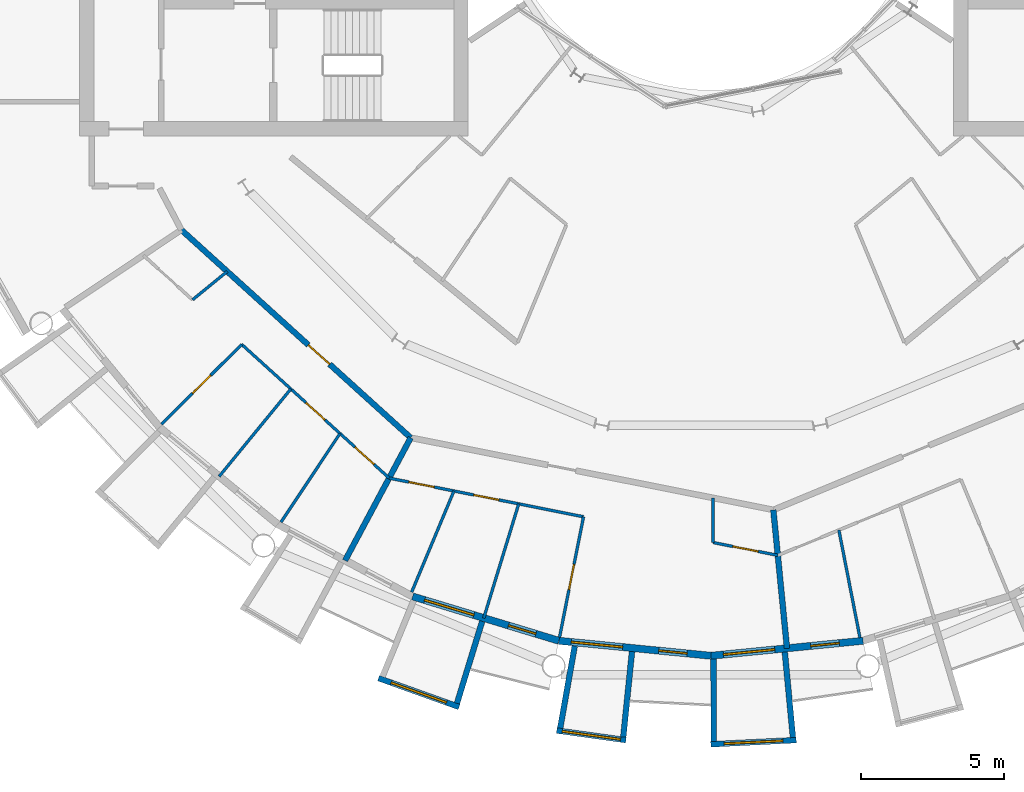
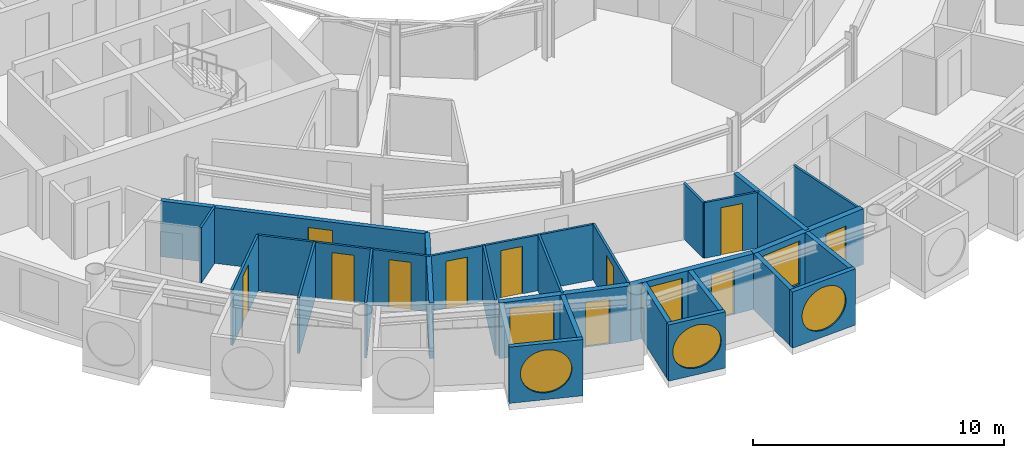
# One storey, part 14 of 27: 26 walls, 11 doors, 6 windows, 17 openings.
"""IFC4 building model written with IfcOpenShell, lengths in metres."""

from ifc_helpers import new_model, si_unit, direction, frame, frame_2d, origin, place, context, subcontext, project, spatial, rectangle, circle, extrude, material, layer, layer_set, type_object, element, fill, save


model = new_model("IFC4")

# Units and contexts
model_context = context("Model", 3, precision=1e-05, world=origin(), true_north=direction((0.0, 1.0)))
body_context = subcontext(model_context, "Body", "Model", "MODEL_VIEW")
ifc_project = project(units=[si_unit("LENGTHUNIT", "METRE"), si_unit("AREAUNIT", "SQUARE_METRE"), si_unit("VOLUMEUNIT", "CUBIC_METRE"), si_unit("PLANEANGLEUNIT", "RADIAN"), si_unit("MASSUNIT", "GRAM", prefix="KILO")], contexts=[model_context])

# Site, building, storey
site_placement = place(None, origin())
site = spatial("IfcSite", under=ifc_project, at=site_placement, CompositionType="ELEMENT")
building_placement = place(site_placement, origin())
building = spatial("IfcBuilding", under=site, at=building_placement, Name="Maasbend Ring Residences", CompositionType="ELEMENT")
storey_placement = place(building_placement, frame((0.0, 0.0, 145.199951171875)))
storey = spatial("IfcBuildingStorey", under=building, at=storey_placement, Name="L41", CompositionType="ELEMENT", Elevation=145.199951171875)

# Wall, opening, door
ifc_material_1 = material(Name="Concrete C30/37", Category="concrete")
ifc_layer_1 = layer(ifc_material_1, 0.199951171875)
ifc_layer_set_1 = layer_set([ifc_layer_1], Name="Concrete C30/37")
wall_type_1 = type_object("IfcWallType", Name="CORRIDOR WALL 200 CONCRETE", PredefinedType="PARTITIONING", material=ifc_layer_set_1)
wall_1_placement = place(storey_placement, frame((-18.5419921875, -12.388916015625, 0.0), z_axis=(0.0, 0.0, 1.0), x_axis=(0.740947367223, -0.671563101283, 0.0)))
wall_1 = element("IfcWall", 1, at=wall_1_placement, inside=storey, type_object=wall_type_1, Name="U-L41-w014", PredefinedType="PARTITIONING", context=body_context, shape_type="SweptSolid", body=[
    extrude(rectangle(XDim=10.83740234375, YDim=0.199951171875, at=frame_2d((5.418701171875, 0.0))), origin(), (0.0, 0.0, 1.0), 2.699951171875),
])
opening_1_placement = place(wall_1_placement, frame((6.001953125, 0.0, 0.0)))
opening_1 = element("IfcOpeningElement", 2, at=opening_1_placement, cuts=wall_1, Name="Opening D-4133", PredefinedType="OPENING", context=body_context, shape_type="SweptSolid", body=[
    extrude(rectangle(XDim=1.0, YDim=2.300048828125, at=frame_2d((0.5, 1.14990234375))), frame((0.0, 0.10986328125, 0.0), z_axis=(0.0, -1.0, 0.0), x_axis=(1.0, 0.0, 0.0)), (0.0, 0.0, 1.0), 0.219970703125),
])
ifc_material_2 = material(Name="Timber, fire-rated, painted", Category="wood")
door_type_1 = type_object("IfcDoorType", Name="FLAT ENTRANCE DOOR 1000 X 2300 FIRE-RATED", OperationType="NOTDEFINED", PredefinedType="DOOR", material=ifc_material_2)
door_1_placement = place(opening_1_placement, origin())
door_1 = element("IfcDoor", 3, at=door_1_placement, inside=storey, type_object=door_type_1, Name="D-4133", OperationType="SINGLE_SWING_RIGHT", OverallHeight=2.300048828125, OverallWidth=1.0, PredefinedType="DOOR", context=body_context, shape_type="SweptSolid", body=[
    extrude(rectangle(XDim=1.0, YDim=2.300048828125, at=frame_2d((0.5, 1.14990234375))), frame((0.0, 0.02490234375, 0.0), z_axis=(0.0, -1.0, 0.0), x_axis=(1.0, 0.0, 0.0)), (0.0, 0.0, 1.0), 0.050048828125),
])
fill(opening_1, door_1)

# Wall, opening, window
ifc_material_3 = material(Name="Pale anodised aluminium panel", Category="aluminium")
ifc_layer_2 = layer(ifc_material_3, 0.199951171875)
ifc_layer_set_2 = layer_set([ifc_layer_2], Name="EW-BOX")
wall_type_2 = type_object("IfcWallType", Name="EW-BOX", PredefinedType="SOLIDWALL", material=ifc_layer_set_2)
wall_2_placement = place(storey_placement, frame((-11.637939453125, -28.083984375, -0.030029296875), z_axis=(0.0, 0.0, 1.0), x_axis=(0.941461077774, -0.337121697664, 0.0)))
wall_2 = element("IfcWall", 4, at=wall_2_placement, inside=storey, type_object=wall_type_2, Name="Box front S07", PredefinedType="SOLIDWALL", context=body_context, shape_type="SweptSolid", body=[
    extrude(rectangle(XDim=2.9931640625, YDim=0.199951171875, at=frame_2d((1.49658203125, 0.0))), origin(), (0.0, 0.0, 1.0), 2.72998046875),
])
opening_2_placement = place(wall_2_placement, frame((0.45654296875, 0.0, 0.330078125)))
opening_2 = element("IfcOpeningElement", 5, at=opening_2_placement, cuts=wall_2, Name="Opening W-RD", PredefinedType="OPENING", context=body_context, shape_type="SweptSolid", body=[
    extrude(circle(Radius=1.0400390625, at=frame_2d((1.0400390625, 1.0400390625))), frame((0.0, 0.10986328125, 0.0), z_axis=(0.0, -1.0, 0.0), x_axis=(1.0, 0.0, 0.0)), (0.0, 0.0, 1.0), 0.219970703125),
])
ifc_material_4 = material(Name="Aluminium and clear glass", Category="aluminium")
window_type_1 = type_object("IfcWindowType", Name="W-RD", PartitioningType="SINGLE_PANEL", PredefinedType="WINDOW", material=ifc_material_4)
window_1_placement = place(opening_2_placement, origin())
window_1 = element("IfcWindow", 6, at=window_1_placement, inside=storey, type_object=window_type_1, Name="Round window S07", OverallHeight=2.080078125, OverallWidth=2.080078125, PartitioningType="SINGLE_PANEL", PredefinedType="WINDOW", context=body_context, shape_type="SweptSolid", body=[
    extrude(circle(Radius=1.0400390625, at=frame_2d((1.0400390625, 1.0400390625))), frame((0.0, 0.030029296875, 0.0), z_axis=(0.0, -1.0, 0.0), x_axis=(1.0, 0.0, 0.0)), (0.0, 0.0, 1.0), 0.06005859375),
])
fill(opening_2, window_1)

# Wall
wall_3_placement = place(storey_placement, frame((-8.009033203125, -26.092041015625, -0.030029296875), z_axis=(0.0, 0.0, 1.0), x_axis=(-0.293406695073, -0.955987715029, 0.0)))
element("IfcWall", 7, at=wall_3_placement, inside=storey, type_object=wall_type_2, Name="Box side wall S07 right", PredefinedType="SOLIDWALL", context=body_context, shape_type="SweptSolid", body=[
    extrude(rectangle(XDim=3.00634765625, YDim=0.199951171875, at=frame_2d((1.503173828125, 0.0))), origin(), (0.0, 0.0, 1.0), 2.72998046875),
])

# Wall, opening, window
wall_4_placement = place(storey_placement, frame((-5.39794921875, -29.9169921875, -0.030029296875), z_axis=(0.0, 0.0, 1.0), x_axis=(0.990462016113, -0.137786046596, 0.0)))
wall_4 = element("IfcWall", 8, at=wall_4_placement, inside=storey, type_object=wall_type_2, Name="Box front S09", PredefinedType="SOLIDWALL", context=body_context, shape_type="SweptSolid", body=[
    extrude(rectangle(XDim=2.4453125, YDim=0.199951171875, at=frame_2d((1.22265625, 0.0))), origin(), (0.0, 0.0, 1.0), 2.72998046875),
])
opening_3_placement = place(wall_4_placement, frame((0.182861328125, 0.0, 0.330078125)))
opening_3 = element("IfcOpeningElement", 9, at=opening_3_placement, cuts=wall_4, Name="Opening W-RD", PredefinedType="OPENING", context=body_context, shape_type="SweptSolid", body=[
    extrude(circle(Radius=1.0400390625, at=frame_2d((1.0400390625, 1.0400390625))), frame((0.0, 0.10986328125, 0.0), z_axis=(0.0, -1.0, 0.0), x_axis=(1.0, 0.0, 0.0)), (0.0, 0.0, 1.0), 0.219970703125),
])
window_2_placement = place(opening_3_placement, origin())
window_2 = element("IfcWindow", 10, at=window_2_placement, inside=storey, type_object=window_type_1, Name="Round window S09", OverallHeight=2.080078125, OverallWidth=2.080078125, PartitioningType="SINGLE_PANEL", PredefinedType="WINDOW", context=body_context, shape_type="SweptSolid", body=[
    extrude(circle(Radius=1.0400390625, at=frame_2d((1.0400390625, 1.0400390625))), frame((0.0, 0.030029296875, 0.0), z_axis=(0.0, -1.0, 0.0), x_axis=(1.0, 0.0, 0.0)), (0.0, 0.0, 1.0), 0.06005859375),
])
fill(opening_3, window_2)

# Walls
wall_5_placement = place(storey_placement, frame((-4.76904296875, -26.9560546875, -0.030029296875), z_axis=(0.0, 0.0, 1.0), x_axis=(-0.174056778901, -0.984735618183, 0.0)))
element("IfcWall", 11, at=wall_5_placement, inside=storey, type_object=wall_type_2, Name="Box side wall S09 left", PredefinedType="SOLIDWALL", context=body_context, shape_type="SweptSolid", body=[
    extrude(rectangle(XDim=2.924560546875, YDim=0.199951171875, at=frame_2d((1.46240234375, 0.0))), origin(), (0.0, 0.0, 1.0), 2.72998046875),
])
wall_6_placement = place(storey_placement, frame((-2.763916015625, -27.153076171875, -0.030029296875), z_axis=(0.0, 0.0, 1.0), x_axis=(-0.101505487237, -0.994834979311, 0.0)))
element("IfcWall", 12, at=wall_6_placement, inside=storey, type_object=wall_type_2, Name="Box side wall S09 right", PredefinedType="SOLIDWALL", context=body_context, shape_type="SweptSolid", body=[
    extrude(rectangle(XDim=3.006591796875, YDim=0.199951171875, at=frame_2d((1.50341796875, 0.0))), origin(), (0.0, 0.0, 1.0), 2.72998046875),
])

# Wall, opening, window
wall_7_placement = place(storey_placement, frame((-0.0048828125, -30.39990234375, -0.030029296875), z_axis=(0.0, 0.0, 1.0), x_axis=(0.998794083011, 0.049095618353, 0.0)))
wall_7 = element("IfcWall", 13, at=wall_7_placement, inside=storey, type_object=wall_type_2, Name="Box front S11", PredefinedType="SOLIDWALL", context=body_context, shape_type="SweptSolid", body=[
    extrude(rectangle(XDim=2.99365234375, YDim=0.199951171875, at=frame_2d((1.496826171875, 0.0))), origin(), (0.0, 0.0, 1.0), 2.72998046875),
])
opening_4_placement = place(wall_7_placement, frame((0.45654296875, 0.0, 0.330078125)))
opening_4 = element("IfcOpeningElement", 14, at=opening_4_placement, cuts=wall_7, Name="Opening W-RD", PredefinedType="OPENING", context=body_context, shape_type="SweptSolid", body=[
    extrude(circle(Radius=1.0400390625, at=frame_2d((1.0400390625, 1.0400390625))), frame((0.0, 0.10986328125, 0.0), z_axis=(0.0, -1.0, 0.0), x_axis=(1.0, 0.0, 0.0)), (0.0, 0.0, 1.0), 0.219970703125),
])
window_3_placement = place(opening_4_placement, origin())
window_3 = element("IfcWindow", 15, at=window_3_placement, inside=storey, type_object=window_type_1, Name="Round window S11", OverallHeight=2.080078125, OverallWidth=2.080078125, PartitioningType="SINGLE_PANEL", PredefinedType="WINDOW", context=body_context, shape_type="SweptSolid", body=[
    extrude(circle(Radius=1.0400390625, at=frame_2d((1.0400390625, 1.0400390625))), frame((0.0, 0.030029296875, 0.0), z_axis=(0.0, -1.0, 0.0), x_axis=(1.0, 0.0, 0.0)), (0.0, 0.0, 1.0), 0.06005859375),
])
fill(opening_4, window_3)

# Walls
wall_8_placement = place(storey_placement, frame((0.090087890625, -27.4169921875, -0.030029296875), z_axis=(0.0, 0.0, 1.0), x_axis=(0.00347308367, -0.999993968827, 0.0)))
element("IfcWall", 16, at=wall_8_placement, inside=storey, type_object=wall_type_2, Name="Box side wall S11 left", PredefinedType="SOLIDWALL", context=body_context, shape_type="SweptSolid", body=[
    extrude(rectangle(XDim=2.882080078125, YDim=0.199951171875, at=frame_2d((1.44091796875, 0.0))), origin(), (0.0, 0.0, 1.0), 2.72998046875),
])
wall_9_placement = place(storey_placement, frame((2.5859375, -27.1708984375, -0.030029296875), z_axis=(0.0, 0.0, 1.0), x_axis=(0.094548432284, -0.995520262954, 0.0)))
element("IfcWall", 17, at=wall_9_placement, inside=storey, type_object=wall_type_2, Name="Box side wall S11 right", PredefinedType="SOLIDWALL", context=body_context, shape_type="SweptSolid", body=[
    extrude(rectangle(XDim=3.005615234375, YDim=0.199951171875, at=frame_2d((1.5029296875, 0.0))), origin(), (0.0, 0.0, 1.0), 2.72998046875),
])

# Wall, openings, door, window
ifc_material_5 = material(Name="Aluminium clad insulated panel", Category="aluminium")
ifc_layer_3 = layer(ifc_material_5, 0.25)
ifc_layer_set_3 = layer_set([ifc_layer_3], Name="EW-GL")
wall_type_3 = type_object("IfcWallType", Name="EW-GL", PredefinedType="SOLIDWALL", material=ifc_layer_set_3)
wall_10_placement = place(storey_placement, frame((-10.447021484375, -25.221923828125, 0.0), z_axis=(0.0, 0.0, 1.0), x_axis=(0.956965678721, -0.290201119486, 0.0)))
wall_10 = element("IfcWall", 18, at=wall_10_placement, inside=storey, type_object=wall_type_3, Name="External wall S04", PredefinedType="SOLIDWALL", context=body_context, shape_type="SweptSolid", body=[
    extrude(rectangle(XDim=5.351318359375, YDim=0.25, at=frame_2d((2.67578125, 0.0))), origin(), (0.0, 0.0, 1.0), 2.699951171875),
])
opening_5_placement = place(wall_10_placement, frame((0.441162109375, 0.0, 0.300048828125)))
opening_5 = element("IfcOpeningElement", 19, at=opening_5_placement, cuts=wall_10, Name="Opening W-BX", PredefinedType="OPENING", context=body_context, shape_type="SweptSolid", body=[
    extrude(rectangle(XDim=1.800048828125, YDim=2.10009765625, at=frame_2d((0.89990234375, 1.050048828125))), frame((0.0, 0.135009765625, 0.0), z_axis=(0.0, -1.0, 0.0), x_axis=(1.0, 0.0, 0.0)), (0.0, 0.0, 1.0), 0.27001953125),
])
opening_6_placement = place(wall_10_placement, frame((3.510498046875, 0.0, 0.0)))
opening_6 = element("IfcOpeningElement", 20, at=opening_6_placement, cuts=wall_10, Name="Opening D-LG", PredefinedType="OPENING", context=body_context, shape_type="SweptSolid", body=[
    extrude(rectangle(XDim=1.0, YDim=2.199951171875, at=frame_2d((0.5, 1.10009765625))), frame((0.0, 0.135009765625, 0.0), z_axis=(0.0, -1.0, 0.0), x_axis=(1.0, 0.0, 0.0)), (0.0, 0.0, 1.0), 0.27001953125),
])
ifc_material_6 = material(Name="Aluminium and clear glass", Category="aluminium")
door_type_2 = type_object("IfcDoorType", Name="D-LG", OperationType="SINGLE_SWING_LEFT", PredefinedType="DOOR", material=ifc_material_6)
door_2_placement = place(opening_6_placement, origin())
door_2 = element("IfcDoor", 21, at=door_2_placement, inside=storey, type_object=door_type_2, Name="Loggia door S08", OperationType="SINGLE_SWING_LEFT", OverallHeight=2.199951171875, OverallWidth=1.0, PredefinedType="DOOR", context=body_context, shape_type="SweptSolid", body=[
    extrude(rectangle(XDim=1.0, YDim=2.199951171875, at=frame_2d((0.5, 1.10009765625))), frame((0.0, 0.02490234375, 0.0), z_axis=(0.0, -1.0, 0.0), x_axis=(1.0, 0.0, 0.0)), (0.0, 0.0, 1.0), 0.050048828125),
])
fill(opening_6, door_2)
ifc_material_7 = material(Name="Aluminium and clear glass", Category="aluminium")
window_type_2 = type_object("IfcWindowType", Name="W-BX", PartitioningType="DOUBLE_PANEL_VERTICAL", PredefinedType="WINDOW", material=ifc_material_7)
window_4_placement = place(opening_5_placement, origin())
window_4 = element("IfcWindow", 22, at=window_4_placement, inside=storey, type_object=window_type_2, Name="Window S07 room to box", OverallHeight=2.10009765625, OverallWidth=1.800048828125, PartitioningType="SINGLE_PANEL", PredefinedType="WINDOW", context=body_context, shape_type="SweptSolid", body=[
    extrude(rectangle(XDim=1.800048828125, YDim=2.10009765625, at=frame_2d((0.89990234375, 1.050048828125))), frame((0.0, 0.030029296875, 0.0), z_axis=(0.0, -1.0, 0.0), x_axis=(1.0, 0.0, 0.0)), (0.0, 0.0, 1.0), 0.06005859375),
])
fill(opening_5, window_4)

wall_11_placement = place(storey_placement, frame((-5.325927734375, -26.77490234375, 0.0), z_axis=(0.0, 0.0, 1.0), x_axis=(0.995173996315, -0.098126026407, 0.0)))
wall_11 = element("IfcWall", 23, at=wall_11_placement, inside=storey, type_object=wall_type_3, Name="External wall S05", PredefinedType="SOLIDWALL", context=body_context, shape_type="SweptSolid", body=[
    extrude(rectangle(XDim=5.351806640625, YDim=0.25, at=frame_2d((2.67578125, 0.0))), origin(), (0.0, 0.0, 1.0), 2.699951171875),
])
opening_7_placement = place(wall_11_placement, frame((0.441162109375, 0.0, 0.300048828125)))
opening_7 = element("IfcOpeningElement", 24, at=opening_7_placement, cuts=wall_11, Name="Opening W-BX", PredefinedType="OPENING", context=body_context, shape_type="SweptSolid", body=[
    extrude(rectangle(XDim=1.800048828125, YDim=2.10009765625, at=frame_2d((0.89990234375, 1.050048828125))), frame((0.0, 0.135009765625, 0.0), z_axis=(0.0, -1.0, 0.0), x_axis=(1.0, 0.0, 0.0)), (0.0, 0.0, 1.0), 0.27001953125),
])
opening_8_placement = place(wall_11_placement, frame((3.510498046875, 0.0, 0.0)))
opening_8 = element("IfcOpeningElement", 25, at=opening_8_placement, cuts=wall_11, Name="Opening D-LG", PredefinedType="OPENING", context=body_context, shape_type="SweptSolid", body=[
    extrude(rectangle(XDim=1.0, YDim=2.199951171875, at=frame_2d((0.5, 1.10009765625))), frame((0.0, 0.135009765625, 0.0), z_axis=(0.0, -1.0, 0.0), x_axis=(1.0, 0.0, 0.0)), (0.0, 0.0, 1.0), 0.27001953125),
])
door_3_placement = place(opening_8_placement, origin())
door_3 = element("IfcDoor", 26, at=door_3_placement, inside=storey, type_object=door_type_2, Name="Loggia door S10", OperationType="SINGLE_SWING_LEFT", OverallHeight=2.199951171875, OverallWidth=1.0, PredefinedType="DOOR", context=body_context, shape_type="SweptSolid", body=[
    extrude(rectangle(XDim=1.0, YDim=2.199951171875, at=frame_2d((0.5, 1.10009765625))), frame((0.0, 0.02490234375, 0.0), z_axis=(0.0, -1.0, 0.0), x_axis=(1.0, 0.0, 0.0)), (0.0, 0.0, 1.0), 0.050048828125),
])
fill(opening_8, door_3)
window_5_placement = place(opening_7_placement, origin())
window_5 = element("IfcWindow", 27, at=window_5_placement, inside=storey, type_object=window_type_2, Name="Window S09 room to box", OverallHeight=2.10009765625, OverallWidth=1.800048828125, PartitioningType="SINGLE_PANEL", PredefinedType="WINDOW", context=body_context, shape_type="SweptSolid", body=[
    extrude(rectangle(XDim=1.800048828125, YDim=2.10009765625, at=frame_2d((0.89990234375, 1.050048828125))), frame((0.0, 0.030029296875, 0.0), z_axis=(0.0, -1.0, 0.0), x_axis=(1.0, 0.0, 0.0)), (0.0, 0.0, 1.0), 0.06005859375),
])
fill(opening_7, window_5)

wall_12_placement = place(storey_placement, frame((0.0, -27.300048828125, 0.0), z_axis=(0.0, 0.0, 1.0), x_axis=(0.995173996315, 0.098126026407, 0.0)))
wall_12 = element("IfcWall", 28, at=wall_12_placement, inside=storey, type_object=wall_type_3, Name="External wall S06", PredefinedType="SOLIDWALL", context=body_context, shape_type="SweptSolid", body=[
    extrude(rectangle(XDim=5.351806640625, YDim=0.25, at=frame_2d((2.67578125, 0.0))), origin(), (0.0, 0.0, 1.0), 2.699951171875),
])
opening_9_placement = place(wall_12_placement, frame((0.441162109375, 0.0, 0.300048828125)))
opening_9 = element("IfcOpeningElement", 29, at=opening_9_placement, cuts=wall_12, Name="Opening W-BX", PredefinedType="OPENING", context=body_context, shape_type="SweptSolid", body=[
    extrude(rectangle(XDim=1.800048828125, YDim=2.10009765625, at=frame_2d((0.89990234375, 1.050048828125))), frame((0.0, 0.135009765625, 0.0), z_axis=(0.0, -1.0, 0.0), x_axis=(1.0, 0.0, 0.0)), (0.0, 0.0, 1.0), 0.27001953125),
])
opening_10_placement = place(wall_12_placement, frame((3.510498046875, 0.0, 0.0)))
opening_10 = element("IfcOpeningElement", 30, at=opening_10_placement, cuts=wall_12, Name="Opening D-LG", PredefinedType="OPENING", context=body_context, shape_type="SweptSolid", body=[
    extrude(rectangle(XDim=1.0, YDim=2.199951171875, at=frame_2d((0.5, 1.10009765625))), frame((0.0, 0.135009765625, 0.0), z_axis=(0.0, -1.0, 0.0), x_axis=(1.0, 0.0, 0.0)), (0.0, 0.0, 1.0), 0.27001953125),
])
door_4_placement = place(opening_10_placement, origin())
door_4 = element("IfcDoor", 31, at=door_4_placement, inside=storey, type_object=door_type_2, Name="Loggia door S12", OperationType="SINGLE_SWING_LEFT", OverallHeight=2.199951171875, OverallWidth=1.0, PredefinedType="DOOR", context=body_context, shape_type="SweptSolid", body=[
    extrude(rectangle(XDim=1.0, YDim=2.199951171875, at=frame_2d((0.5, 1.10009765625))), frame((0.0, 0.02490234375, 0.0), z_axis=(0.0, -1.0, 0.0), x_axis=(1.0, 0.0, 0.0)), (0.0, 0.0, 1.0), 0.050048828125),
])
fill(opening_10, door_4)
window_6_placement = place(opening_9_placement, origin())
window_6 = element("IfcWindow", 32, at=window_6_placement, inside=storey, type_object=window_type_2, Name="Window S11 room to box", OverallHeight=2.10009765625, OverallWidth=1.800048828125, PartitioningType="SINGLE_PANEL", PredefinedType="WINDOW", context=body_context, shape_type="SweptSolid", body=[
    extrude(rectangle(XDim=1.800048828125, YDim=2.10009765625, at=frame_2d((0.89990234375, 1.050048828125))), frame((0.0, 0.030029296875, 0.0), z_axis=(0.0, -1.0, 0.0), x_axis=(1.0, 0.0, 0.0)), (0.0, 0.0, 1.0), 0.06005859375),
])
fill(opening_9, window_6)

# Wall, openings, doors
ifc_material_8 = material(Name="Gypsum board on steel studs", Category="steel")
ifc_layer_4 = layer(ifc_material_8, 0.10009765625)
ifc_layer_set_4 = layer_set([ifc_layer_4], Name="PARTITION 100 GYPSUM")
wall_type_4 = type_object("IfcWallType", Name="PARTITION 100 GYPSUM", PredefinedType="PARTITIONING", material=ifc_layer_set_4)
wall_13_placement = place(storey_placement, frame((-16.431884765625, -16.39599609375, 0.0), z_axis=(0.0, 0.0, 1.0), x_axis=(0.740901429238, -0.671613781986, 0.0)))
wall_13 = element("IfcWall", 33, at=wall_13_placement, inside=storey, type_object=wall_type_4, Name="U-L41-w004", PredefinedType="PARTITIONING", context=body_context, shape_type="SweptSolid", body=[
    extrude(rectangle(XDim=6.9697265625, YDim=0.10009765625, at=frame_2d((3.48486328125, 0.0))), origin(), (0.0, 0.0, 1.0), 2.699951171875),
])
opening_11_placement = place(wall_13_placement, frame((3.0380859375, 0.0, 0.0)))
opening_11 = element("IfcOpeningElement", 34, at=opening_11_placement, cuts=wall_13, Name="Opening D-4136", PredefinedType="OPENING", context=body_context, shape_type="SweptSolid", body=[
    extrude(rectangle(XDim=0.89990234375, YDim=2.300048828125, at=frame_2d((0.449951171875, 1.14990234375))), frame((0.0, 0.06005859375, 0.0), z_axis=(0.0, -1.0, 0.0), x_axis=(1.0, 0.0, 0.0)), (0.0, 0.0, 1.0), 0.1201171875),
])
opening_12_placement = place(wall_13_placement, frame((5.360107421875, 0.0, 0.0)))
opening_12 = element("IfcOpeningElement", 35, at=opening_12_placement, cuts=wall_13, Name="Opening D-4137", PredefinedType="OPENING", context=body_context, shape_type="SweptSolid", body=[
    extrude(rectangle(XDim=0.89990234375, YDim=2.300048828125, at=frame_2d((0.449951171875, 1.14990234375))), frame((0.0, 0.06005859375, 0.0), z_axis=(0.0, -1.0, 0.0), x_axis=(1.0, 0.0, 0.0)), (0.0, 0.0, 1.0), 0.1201171875),
])
ifc_material_9 = material(Name="Timber, painted", Category="wood")
door_type_3 = type_object("IfcDoorType", Name="INTERNAL DOOR 900 X 2300", OperationType="NOTDEFINED", PredefinedType="DOOR", material=ifc_material_9)
door_5_placement = place(opening_11_placement, origin())
door_5 = element("IfcDoor", 36, at=door_5_placement, inside=storey, type_object=door_type_3, Name="D-4136", OperationType="SINGLE_SWING_RIGHT", OverallHeight=2.300048828125, OverallWidth=0.89990234375, PredefinedType="DOOR", context=body_context, shape_type="SweptSolid", body=[
    extrude(rectangle(XDim=0.89990234375, YDim=2.300048828125, at=frame_2d((0.449951171875, 1.14990234375))), frame((0.0, 0.02490234375, 0.0), z_axis=(0.0, -1.0, 0.0), x_axis=(1.0, 0.0, 0.0)), (0.0, 0.0, 1.0), 0.050048828125),
])
fill(opening_11, door_5)
door_6_placement = place(opening_12_placement, origin())
door_6 = element("IfcDoor", 37, at=door_6_placement, inside=storey, type_object=door_type_3, Name="D-4137", OperationType="SINGLE_SWING_RIGHT", OverallHeight=2.300048828125, OverallWidth=0.89990234375, PredefinedType="DOOR", context=body_context, shape_type="SweptSolid", body=[
    extrude(rectangle(XDim=0.89990234375, YDim=2.300048828125, at=frame_2d((0.449951171875, 1.14990234375))), frame((0.0, 0.02490234375, 0.0), z_axis=(0.0, -1.0, 0.0), x_axis=(1.0, 0.0, 0.0)), (0.0, 0.0, 1.0), 0.050048828125),
])
fill(opening_12, door_6)

wall_14_placement = place(storey_placement, frame((-11.263916015625, -21.080078125, 0.0), z_axis=(0.0, 0.0, 1.0), x_axis=(0.980795304313, -0.195039921651, 0.0)))
wall_14 = element("IfcWall", 38, at=wall_14_placement, inside=storey, type_object=wall_type_4, Name="U-L41-w005", PredefinedType="PARTITIONING", context=body_context, shape_type="SweptSolid", body=[
    extrude(rectangle(XDim=6.937255859375, YDim=0.10009765625, at=frame_2d((3.46875, 0.0))), origin(), (0.0, 0.0, 1.0), 2.699951171875),
])
opening_13_placement = place(wall_14_placement, frame((3.01611328125, 0.0, 0.0)))
opening_13 = element("IfcOpeningElement", 39, at=opening_13_placement, cuts=wall_14, Name="Opening D-4141", PredefinedType="OPENING", context=body_context, shape_type="SweptSolid", body=[
    extrude(rectangle(XDim=0.89990234375, YDim=2.300048828125, at=frame_2d((0.449951171875, 1.14990234375))), frame((0.0, 0.06005859375, 0.0), z_axis=(0.0, -1.0, 0.0), x_axis=(1.0, 0.0, 0.0)), (0.0, 0.0, 1.0), 0.1201171875),
])
opening_14_placement = place(wall_14_placement, frame((0.7041015625, 0.0, 0.0)))
opening_14 = element("IfcOpeningElement", 40, at=opening_14_placement, cuts=wall_14, Name="Opening D-4142", PredefinedType="OPENING", context=body_context, shape_type="SweptSolid", body=[
    extrude(rectangle(XDim=0.89990234375, YDim=2.300048828125, at=frame_2d((0.449951171875, 1.14990234375))), frame((0.0, 0.06005859375, 0.0), z_axis=(0.0, -1.0, 0.0), x_axis=(1.0, 0.0, 0.0)), (0.0, 0.0, 1.0), 0.1201171875),
])
door_7_placement = place(opening_13_placement, origin())
door_7 = element("IfcDoor", 41, at=door_7_placement, inside=storey, type_object=door_type_3, Name="D-4141", OperationType="SINGLE_SWING_LEFT", OverallHeight=2.300048828125, OverallWidth=0.89990234375, PredefinedType="DOOR", context=body_context, shape_type="SweptSolid", body=[
    extrude(rectangle(XDim=0.89990234375, YDim=2.300048828125, at=frame_2d((0.449951171875, 1.14990234375))), frame((0.0, 0.02490234375, 0.0), z_axis=(0.0, -1.0, 0.0), x_axis=(1.0, 0.0, 0.0)), (0.0, 0.0, 1.0), 0.050048828125),
])
fill(opening_13, door_7)
door_8_placement = place(opening_14_placement, origin())
door_8 = element("IfcDoor", 42, at=door_8_placement, inside=storey, type_object=door_type_3, Name="D-4142", OperationType="SINGLE_SWING_LEFT", OverallHeight=2.300048828125, OverallWidth=0.89990234375, PredefinedType="DOOR", context=body_context, shape_type="SweptSolid", body=[
    extrude(rectangle(XDim=0.89990234375, YDim=2.300048828125, at=frame_2d((0.449951171875, 1.14990234375))), frame((0.0, 0.02490234375, 0.0), z_axis=(0.0, -1.0, 0.0), x_axis=(1.0, 0.0, 0.0)), (0.0, 0.0, 1.0), 0.050048828125),
])
fill(opening_14, door_8)

# Wall, opening, door
wall_15_placement = place(storey_placement, frame((0.073974609375, -23.333984375, 0.0), z_axis=(0.0, 0.0, 1.0), x_axis=(0.98081942231, -0.194918600496, 0.0)))
wall_15 = element("IfcWall", 43, at=wall_15_placement, inside=storey, type_object=wall_type_4, Name="U-L41-w006", PredefinedType="PARTITIONING", context=body_context, shape_type="SweptSolid", body=[
    extrude(rectangle(XDim=2.3134765625, YDim=0.10009765625, at=frame_2d((1.15673828125, 0.0))), origin(), (0.0, 0.0, 1.0), 2.699951171875),
])
opening_15_placement = place(wall_15_placement, frame((0.70703125, 0.0, 0.0)))
opening_15 = element("IfcOpeningElement", 44, at=opening_15_placement, cuts=wall_15, Name="Opening D-4139", PredefinedType="OPENING", context=body_context, shape_type="SweptSolid", body=[
    extrude(rectangle(XDim=0.89990234375, YDim=2.300048828125, at=frame_2d((0.449951171875, 1.14990234375))), frame((0.0, 0.06005859375, 0.0), z_axis=(0.0, -1.0, 0.0), x_axis=(1.0, 0.0, 0.0)), (0.0, 0.0, 1.0), 0.1201171875),
])
door_9_placement = place(opening_15_placement, origin())
door_9 = element("IfcDoor", 45, at=door_9_placement, inside=storey, type_object=door_type_3, Name="D-4139", OperationType="SINGLE_SWING_RIGHT", OverallHeight=2.300048828125, OverallWidth=0.89990234375, PredefinedType="DOOR", context=body_context, shape_type="SweptSolid", body=[
    extrude(rectangle(XDim=0.89990234375, YDim=2.300048828125, at=frame_2d((0.449951171875, 1.14990234375))), frame((0.0, 0.02490234375, 0.0), z_axis=(0.0, -1.0, 0.0), x_axis=(1.0, 0.0, 0.0)), (0.0, 0.0, 1.0), 0.050048828125),
])
fill(opening_15, door_9)

wall_16_placement = place(storey_placement, frame((-19.23388671875, -19.197021484375, 0.0), z_axis=(0.0, 0.0, 1.0), x_axis=(0.707722727509, 0.706490297858, 0.0)))
wall_16 = element("IfcWall", 46, at=wall_16_placement, inside=storey, type_object=wall_type_4, Name="U-L41-w034", PredefinedType="PARTITIONING", context=body_context, shape_type="SweptSolid", body=[
    extrude(rectangle(XDim=3.9619140625, YDim=0.10009765625, at=frame_2d((1.98095703125, 0.0))), origin(), (0.0, 0.0, 1.0), 2.699951171875),
])
opening_16_placement = place(wall_16_placement, frame((1.531005859375, 0.0, 0.0)))
opening_16 = element("IfcOpeningElement", 47, at=opening_16_placement, cuts=wall_16, Name="Opening D-4135", PredefinedType="OPENING", context=body_context, shape_type="SweptSolid", body=[
    extrude(rectangle(XDim=0.89990234375, YDim=2.300048828125, at=frame_2d((0.449951171875, 1.14990234375))), frame((0.0, 0.06005859375, 0.0), z_axis=(0.0, -1.0, 0.0), x_axis=(1.0, 0.0, 0.0)), (0.0, 0.0, 1.0), 0.1201171875),
])
door_10_placement = place(opening_16_placement, origin())
door_10 = element("IfcDoor", 48, at=door_10_placement, inside=storey, type_object=door_type_3, Name="D-4135", OperationType="SINGLE_SWING_LEFT", OverallHeight=2.300048828125, OverallWidth=0.89990234375, PredefinedType="DOOR", context=body_context, shape_type="SweptSolid", body=[
    extrude(rectangle(XDim=0.89990234375, YDim=2.300048828125, at=frame_2d((0.449951171875, 1.14990234375))), frame((0.0, 0.02490234375, 0.0), z_axis=(0.0, -1.0, 0.0), x_axis=(1.0, 0.0, 0.0)), (0.0, 0.0, 1.0), 0.050048828125),
])
fill(opening_16, door_10)

# Walls
wall_17_placement = place(storey_placement, frame((-18.15087890625, -14.837890625, 0.0), z_axis=(0.0, 0.0, 1.0), x_axis=(0.774283039722, 0.632839453889, 0.0)))
element("IfcWall", 49, at=wall_17_placement, inside=storey, type_object=wall_type_4, Name="U-L41-w035", PredefinedType="PARTITIONING", context=body_context, shape_type="SweptSolid", body=[
    extrude(rectangle(XDim=1.569091796875, YDim=0.10009765625, at=frame_2d((0.78466796875, 0.0))), origin(), (0.0, 0.0, 1.0), 2.699951171875),
])
wall_18_placement = place(storey_placement, frame((-17.218994140625, -21.02294921875, 0.0), z_axis=(0.0, 0.0, 1.0), x_axis=(0.633590098448, 0.773668913133, 0.0)))
element("IfcWall", 50, at=wall_18_placement, inside=storey, type_object=wall_type_4, Name="U-L41-w037", PredefinedType="PARTITIONING", context=body_context, shape_type="SweptSolid", body=[
    extrude(rectangle(XDim=3.961669921875, YDim=0.10009765625, at=frame_2d((1.98095703125, 0.0))), origin(), (0.0, 0.0, 1.0), 2.699951171875),
])
wall_19_placement = place(storey_placement, frame((-15.053955078125, -22.6240234375, 0.0), z_axis=(0.0, 0.0, 1.0), x_axis=(0.553823887887, 0.83263383381, 0.0)))
element("IfcWall", 51, at=wall_19_placement, inside=storey, type_object=wall_type_4, Name="U-L41-w040", PredefinedType="PARTITIONING", context=body_context, shape_type="SweptSolid", body=[
    extrude(rectangle(XDim=3.730224609375, YDim=0.10009765625, at=frame_2d((1.865234375, 0.0))), origin(), (0.0, 0.0, 1.0), 2.699951171875),
])
wall_20_placement = place(storey_placement, frame((-10.47900390625, -25.072998046875, 0.0), z_axis=(0.0, 0.0, 1.0), x_axis=(0.385572005139, 0.922677749192, 0.0)))
element("IfcWall", 52, at=wall_20_placement, inside=storey, type_object=wall_type_4, Name="U-L41-w044", PredefinedType="PARTITIONING", context=body_context, shape_type="SweptSolid", body=[
    extrude(rectangle(XDim=3.8408203125, YDim=0.10009765625, at=frame_2d((1.92041015625, 0.0))), origin(), (0.0, 0.0, 1.0), 2.699951171875),
])
wall_21_placement = place(storey_placement, frame((-7.9560546875, -25.98388671875, 0.0), z_axis=(0.0, 0.0, 1.0), x_axis=(0.292799128207, 0.956173975028, 0.0)))
element("IfcWall", 53, at=wall_21_placement, inside=storey, type_object=wall_type_4, Name="U-L41-w050", PredefinedType="PARTITIONING", context=body_context, shape_type="SweptSolid", body=[
    extrude(rectangle(XDim=4.1875, YDim=0.10009765625, at=frame_2d((2.09375, 0.0))), origin(), (0.0, 0.0, 1.0), 2.699951171875),
])

# Wall, opening, door
wall_22_placement = place(storey_placement, frame((-5.302001953125, -26.653076171875, 0.0), z_axis=(0.0, 0.0, 1.0), x_axis=(0.195145394338, 0.98077432423, 0.0)))
wall_22 = element("IfcWall", 54, at=wall_22_placement, inside=storey, type_object=wall_type_4, Name="U-L41-w053", PredefinedType="PARTITIONING", context=body_context, shape_type="SweptSolid", body=[
    extrude(rectangle(XDim=4.304931640625, YDim=0.10009765625, at=frame_2d((2.15234375, 0.0))), origin(), (0.0, 0.0, 1.0), 2.699951171875),
])
opening_17_placement = place(wall_22_placement, frame((1.701904296875, 0.0, 0.0)))
opening_17 = element("IfcOpeningElement", 55, at=opening_17_placement, cuts=wall_22, Name="Opening D-4140", PredefinedType="OPENING", context=body_context, shape_type="SweptSolid", body=[
    extrude(rectangle(XDim=0.89990234375, YDim=2.300048828125, at=frame_2d((0.449951171875, 1.14990234375))), frame((0.0, 0.06005859375, 0.0), z_axis=(0.0, -1.0, 0.0), x_axis=(1.0, 0.0, 0.0)), (0.0, 0.0, 1.0), 0.1201171875),
])
door_11_placement = place(opening_17_placement, origin())
door_11 = element("IfcDoor", 56, at=door_11_placement, inside=storey, type_object=door_type_3, Name="D-4140", OperationType="SINGLE_SWING_LEFT", OverallHeight=2.300048828125, OverallWidth=0.89990234375, PredefinedType="DOOR", context=body_context, shape_type="SweptSolid", body=[
    extrude(rectangle(XDim=0.89990234375, YDim=2.300048828125, at=frame_2d((0.449951171875, 1.14990234375))), frame((0.0, 0.02490234375, 0.0), z_axis=(0.0, -1.0, 0.0), x_axis=(1.0, 0.0, 0.0)), (0.0, 0.0, 1.0), 0.050048828125),
])
fill(opening_17, door_11)

# Walls
wall_23_placement = place(storey_placement, frame((0.073974609375, -23.333984375, 0.0), z_axis=(0.0, 0.0, 1.0), x_axis=(-0.003125961595, 0.99999511417, 0.0)))
element("IfcWall", 57, at=wall_23_placement, inside=storey, type_object=wall_type_4, Name="U-L41-w059", PredefinedType="PARTITIONING", context=body_context, shape_type="SweptSolid", body=[
    extrude(rectangle(XDim=1.56201171875, YDim=0.10009765625, at=frame_2d((0.781005859375, 0.0))), origin(), (0.0, 0.0, 1.0), 2.699951171875),
])
wall_24_placement = place(storey_placement, frame((4.47900390625, -22.89990234375, 0.0), z_axis=(0.0, 0.0, 1.0), x_axis=(0.192118055779, -0.981371821811, 0.0)))
element("IfcWall", 58, at=wall_24_placement, inside=storey, type_object=wall_type_4, Name="U-L41-w063", PredefinedType="PARTITIONING", context=body_context, shape_type="SweptSolid", body=[
    extrude(rectangle(XDim=3.841552734375, YDim=0.10009765625, at=frame_2d((1.9208984375, 0.0))), origin(), (0.0, 0.0, 1.0), 2.699951171875),
])
ifc_material_10 = material(Name="Concrete C30/37", Category="concrete")
ifc_layer_5 = layer(ifc_material_10, 0.199951171875)
ifc_layer_set_5 = layer_set([ifc_layer_5], Name="Concrete C30/37")
wall_type_5 = type_object("IfcWallType", Name="PARTY WALL 200 CONCRETE", PredefinedType="PARTITIONING", material=ifc_layer_set_5)
wall_25_placement = place(storey_placement, frame((-12.81005859375, -23.966064453125, 0.0), z_axis=(0.0, 0.0, 1.0), x_axis=(0.471427642527, 0.881904744211, 0.0)))
element("IfcWall", 59, at=wall_25_placement, inside=storey, type_object=wall_type_5, Name="U-L41-w041", PredefinedType="PARTITIONING", context=body_context, shape_type="SweptSolid", body=[
    extrude(rectangle(XDim=4.874755859375, YDim=0.199951171875, at=frame_2d((2.4375, 0.0))), origin(), (0.0, 0.0, 1.0), 2.699951171875),
])
wall_26_placement = place(storey_placement, frame((2.18408203125, -22.193115234375, 0.0), z_axis=(0.0, 0.0, 1.0), x_axis=(0.098070432075, -0.995179476453, 0.0)))
element("IfcWall", 60, at=wall_26_placement, inside=storey, type_object=wall_type_5, Name="U-L41-w060", PredefinedType="PARTITIONING", context=body_context, shape_type="SweptSolid", body=[
    extrude(rectangle(XDim=4.874267578125, YDim=0.199951171875, at=frame_2d((2.43701171875, 0.0))), origin(), (0.0, 0.0, 1.0), 2.699951171875),
])

save(model, "model.ifc")
